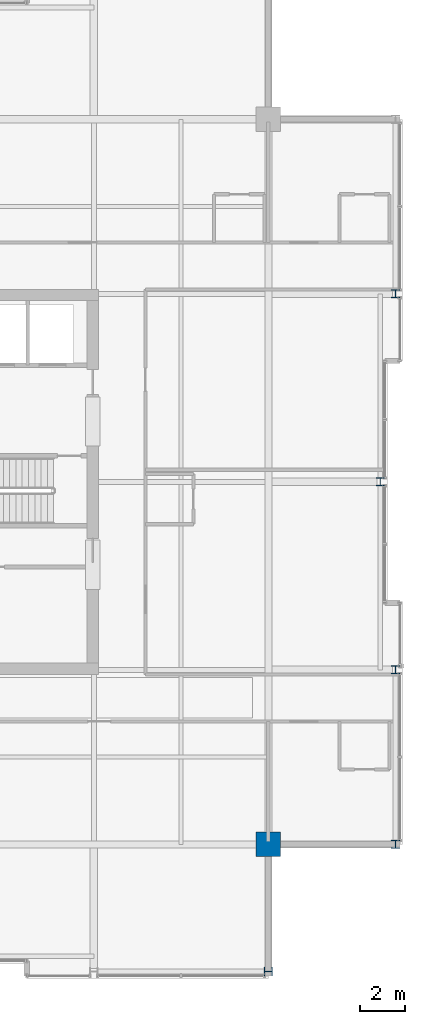
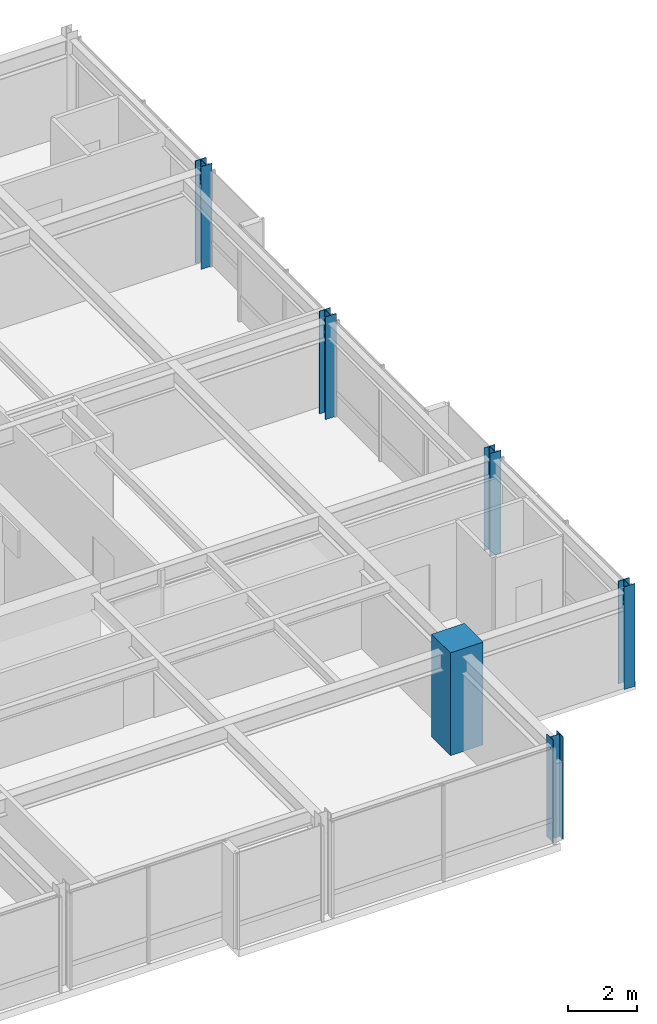
# One storey, part 2 of 33: 6 columns.
"""IFC4 building model written with IfcOpenShell, lengths in metres."""

from ifc_helpers import new_model, si_unit, direction, frame, origin, origin_2d, place, context, subcontext, project, spatial, rectangle, i_section, extrude, material, material_profile, profile_set, type_object, element, save


model = new_model("IFC4")

# Units and contexts
model_context = context("Model", 3, precision=1e-05, world=origin(), true_north=direction((0.0, 1.0)))
body_context = subcontext(model_context, "Body", "Model", "MODEL_VIEW")
ifc_project = project(units=[si_unit("LENGTHUNIT", "METRE"), si_unit("AREAUNIT", "SQUARE_METRE"), si_unit("VOLUMEUNIT", "CUBIC_METRE"), si_unit("PLANEANGLEUNIT", "RADIAN"), si_unit("MASSUNIT", "GRAM", prefix="KILO")], contexts=[model_context])

# Site, building, storey
site_placement = place(None, origin())
site = spatial("IfcSite", under=ifc_project, at=site_placement, CompositionType="ELEMENT")
building_placement = place(site_placement, origin())
building = spatial("IfcBuilding", under=site, at=building_placement, Name="Drelvath Grand Hotel", CompositionType="ELEMENT")
storey_placement = place(building_placement, frame((0.0, 0.0, 283.25)))
storey = spatial("IfcBuildingStorey", under=building, at=storey_placement, Name="L74", CompositionType="ELEMENT", Elevation=283.25)

# Columns
ifc_material_1 = material(Name="Concrete f'c 55 MPa", Category="concrete")
ifc_material_profile_1 = material_profile(ifc_material_1, rectangle(XDim=1.10009765625, YDim=1.10009765625, at=origin_2d()), Name="MC1100X1100")
ifc_profile_set_1 = profile_set([ifc_material_profile_1], Name="Concrete f'c 55 MPa")
column_type_1 = type_object("IfcColumnType", Name="Composite Mega Column MC1100X1100", PredefinedType="COLUMN", material=ifc_profile_set_1)
column_placement = place(storey_placement, frame((16.199951171875, 10.800048828125, 0.0), z_axis=(0.0, 0.0, 1.0), x_axis=(1.0, 0.0, 0.0)))
element("IfcColumn", 1, at=column_placement, inside=storey, type_object=column_type_1, Name="L74 Composite Mega Column MC-SE", PredefinedType="COLUMN", context=body_context, shape_type="SweptSolid", body=[
    extrude(rectangle(XDim=1.10009765625, YDim=1.10009765625, at=origin_2d()), origin(), (0.0, 0.0, 1.0), 3.64990234375),
])
ifc_material_2 = material(Name="Steel ASTM A913 Gr 65", Category="steel")
ifc_material_profile_2 = material_profile(ifc_material_2, i_section(OverallWidth=0.368896484375, OverallDepth=0.356201171875, WebThickness=0.01123046875, FlangeThickness=0.01806640625, FilletRadius=0.02490234375, at=origin_2d()), Name="W14X90")
ifc_profile_set_2 = profile_set([ifc_material_profile_2], Name="Steel ASTM A913 Gr 65")
column_type_2 = type_object("IfcColumnType", Name="Perimeter Steel Column W14X90", PredefinedType="COLUMN", material=ifc_profile_set_2)
for number, where, z_axis, x_axis, name in (
    (2, (21.8798828125, 10.800048828125, 0.0), (0.0, 0.0, 1.0), (1.0, 0.0, 0.0), "L74 Structural Column TCE-C"),
    (3, (21.8798828125, 18.60009765625, 0.0), (0.0, 0.0, 1.0), (1.0, 0.0, 0.0), "L74 Structural Column TCE-D"),
    (4, (21.199951171875, 27.0, 0.0), (0.0, 0.0, 1.0), (1.0, 0.0, 0.0), "L74 Structural Column TCE-E"),
    (5, (21.8798828125, 35.39990234375, 0.0), (0.0, 0.0, 1.0), (1.0, 0.0, 0.0), "L74 Structural Column TCE-F"),
    (6, (16.199951171875, 5.1201171875, 0.0), (0.0, 0.0, 1.0), (0.0, 1.0, 0.0), "L74 Structural Column TCS-7"),
):
    element("IfcColumn", number, at=place(storey_placement, frame(where, z_axis=z_axis, x_axis=x_axis)), inside=storey, type_object=column_type_2, Name=name, PredefinedType="COLUMN", context=body_context, shape_type="SweptSolid", body=[
        extrude(i_section(OverallWidth=0.368896484375, OverallDepth=0.356201171875, WebThickness=0.01123046875, FlangeThickness=0.01806640625, FilletRadius=0.02490234375, at=origin_2d()), origin(), (0.0, 0.0, 1.0), 3.64697265625),
    ])

save(model, "model.ifc")
